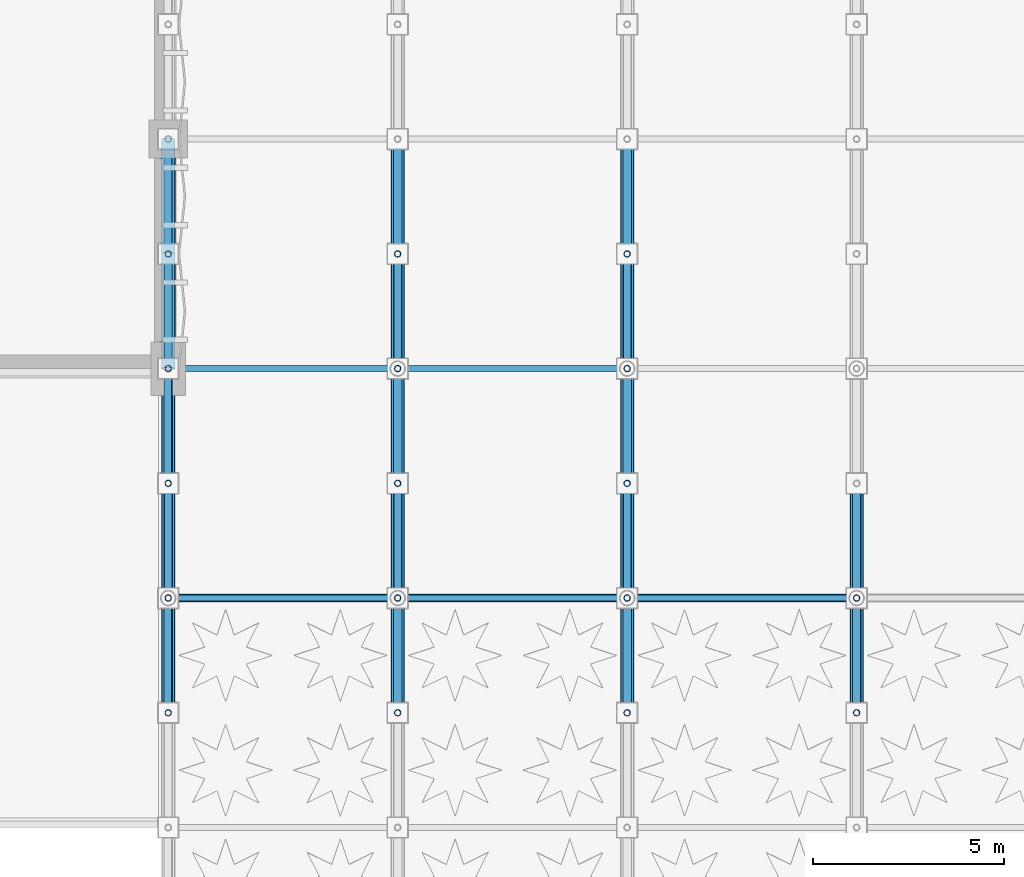
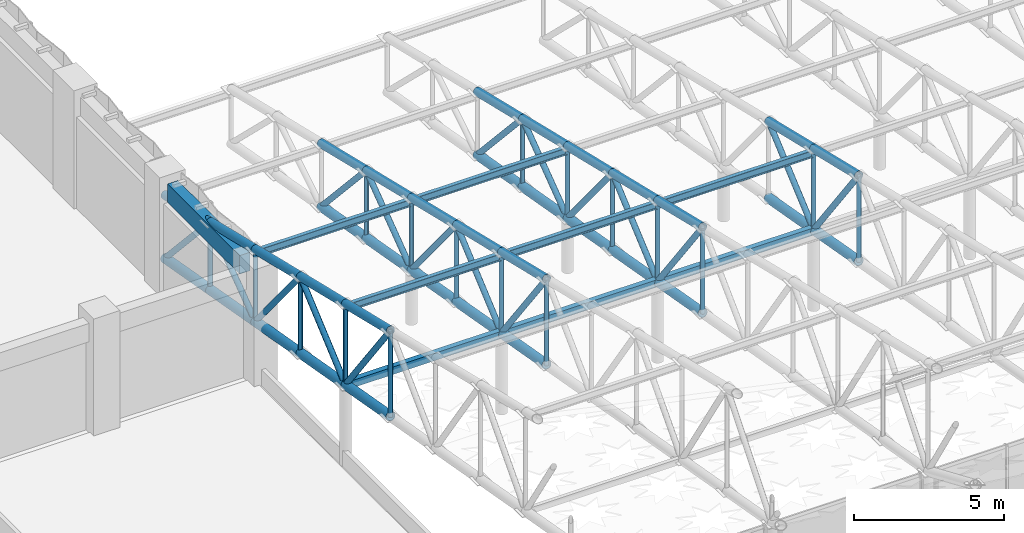
# One storey, part 27 of 123: 71 members, 6 beams.
"""IFC4 building model written with IfcOpenShell, lengths in metres."""

from ifc_helpers import new_model, si_unit, direction, frame, origin, origin_2d, place, context, subcontext, project, spatial, rectangle, hollow_rectangle, hollow_circle, i_section, extrude, material, material_profile, profile_set, type_object, element, save


model = new_model("IFC4")

# Units and contexts
model_context = context("Model", 3, precision=1e-05, world=origin(), true_north=direction((0.0, 1.0)))
body_context = subcontext(model_context, "Body", "Model", "MODEL_VIEW")
ifc_project = project(units=[si_unit("LENGTHUNIT", "METRE"), si_unit("AREAUNIT", "SQUARE_METRE"), si_unit("VOLUMEUNIT", "CUBIC_METRE"), si_unit("PLANEANGLEUNIT", "RADIAN"), si_unit("MASSUNIT", "GRAM", prefix="KILO"), si_unit("THERMODYNAMICTEMPERATUREUNIT", "KELVIN"), si_unit("POWERUNIT", "WATT")], contexts=[model_context])

# Site, building, storey
site_placement = place(None, origin())
site = spatial("IfcSite", under=ifc_project, at=site_placement, CompositionType="ELEMENT")
building_placement = place(site_placement, origin())
building = spatial("IfcBuilding", under=site, at=building_placement, Name="Phaisarnlok Congress Hotel", CompositionType="ELEMENT")
storey_placement = place(building_placement, frame((0.0, 0.0, 15.0)))
storey = spatial("IfcBuildingStorey", under=building, at=storey_placement, Name="L03", CompositionType="ELEMENT", Elevation=15.0)

# Beams
ifc_material_1 = material(Name="Steel S355", Category="steel")
ifc_material_profile_1 = material_profile(ifc_material_1, i_section(OverallWidth=0.14990234375, OverallDepth=0.300048828125, WebThickness=0.007080078125, FlangeThickness=0.0107421875, FilletRadius=0.014892578125, at=origin_2d()), Name="IPE 300")
ifc_profile_set_1 = profile_set([ifc_material_profile_1], Name="Steel S355")
beam_type_1 = type_object("IfcBeamType", Name="JS-STL-IPE300", PredefinedType="JOIST", material=ifc_profile_set_1)
for number, where, z_axis, x_axis, name in (
    (1, (66.0, 42.0, 4.902099609375), (1.0, 0.0, 0.0), (0.0, 1.0, 0.0), "South wing roof purlin"),
    (2, (66.0, 36.0, 6.334228515625), (1.0, 0.0, 0.0), (0.0, 1.0, 0.0), "South wing roof purlin"),
    (3, (72.0, 42.0, 4.902099609375), (1.0, 0.0, 0.0), (0.0, 1.0, 0.0), "South wing roof purlin"),
    (4, (72.0, 36.0, 6.334228515625), (1.0, 0.0, 0.0), (0.0, 1.0, 0.0), "South wing roof purlin"),
    (5, (78.0, 36.0, 6.334228515625), (1.0, 0.0, 0.0), (0.0, 1.0, 0.0), "South wing roof purlin"),
):
    element("IfcBeam", number, at=place(storey_placement, frame(where, z_axis=z_axis, x_axis=x_axis)), inside=storey, type_object=beam_type_1, Name=name, PredefinedType="JOIST", context=body_context, shape_type="SweptSolid", body=[
        extrude(i_section(OverallWidth=0.14990234375, OverallDepth=0.300048828125, WebThickness=0.007080078125, FlangeThickness=0.0107421875, FilletRadius=0.014892578125, at=origin_2d()), origin(), (0.0, 0.0, 1.0), 6.0),
    ])

# Members
ifc_material_profile_2 = material_profile(ifc_material_1, hollow_circle(Radius=0.084228515625, WallThickness=0.010009765625, at=origin_2d()), Name="CHS 168.3x10")
ifc_profile_set_2 = profile_set([ifc_material_profile_2], Name="Steel S355")
member_type_1 = type_object("IfcMemberType", Name="MEM-BRC-CHS168", PredefinedType="BRACE", material=ifc_profile_set_2)
member_1_placement = place(storey_placement, frame((66.0, 45.0, 1.60009765625), z_axis=(0.0, 0.0, 1.0), x_axis=(1.0, 0.0, 0.0)))
element("IfcMember", 6, at=member_1_placement, inside=storey, type_object=member_type_1, Name="South wing roof truss vertical web", PredefinedType="BRACE", context=body_context, shape_type="SweptSolid", body=[
    extrude(hollow_circle(Radius=0.084228515625, WallThickness=0.010009765625, at=origin_2d()), origin(), (0.0, 0.0, 1.0), 2.748046875),
])
member_2_placement = place(storey_placement, frame((66.0, 42.0, 2.13330078125), z_axis=(0.0, 0.0, 1.0), x_axis=(1.0, 0.0, 0.0)))
element("IfcMember", 7, at=member_2_placement, inside=storey, type_object=member_type_1, Name="South wing roof truss vertical web", PredefinedType="BRACE", context=body_context, shape_type="SweptSolid", body=[
    extrude(hollow_circle(Radius=0.084228515625, WallThickness=0.010009765625, at=origin_2d()), origin(), (0.0, 0.0, 1.0), 2.930908203125),
])
member_3_placement = place(storey_placement, frame((66.0, 39.0, 2.666748046875), z_axis=(0.0, 0.0, 1.0), x_axis=(1.0, 0.0, 0.0)))
element("IfcMember", 8, at=member_3_placement, inside=storey, type_object=member_type_1, Name="South wing roof truss vertical web", PredefinedType="BRACE", context=body_context, shape_type="SweptSolid", body=[
    extrude(hollow_circle(Radius=0.084228515625, WallThickness=0.010009765625, at=origin_2d()), origin(), (0.0, 0.0, 1.0), 3.113525390625),
])
member_4_placement = place(storey_placement, frame((66.0, 36.0, 3.199951171875), z_axis=(0.0, 0.0, 1.0), x_axis=(1.0, 0.0, 0.0)))
element("IfcMember", 9, at=member_4_placement, inside=storey, type_object=member_type_1, Name="South wing roof truss vertical web", PredefinedType="BRACE", context=body_context, shape_type="SweptSolid", body=[
    extrude(hollow_circle(Radius=0.084228515625, WallThickness=0.010009765625, at=origin_2d()), origin(), (0.0, 0.0, 1.0), 3.29638671875),
])
member_5_placement = place(storey_placement, frame((66.0, 33.0, 3.7333984375), z_axis=(0.0, 0.0, 1.0), x_axis=(1.0, 0.0, 0.0)))
element("IfcMember", 10, at=member_5_placement, inside=storey, type_object=member_type_1, Name="South wing roof truss vertical web", PredefinedType="BRACE", context=body_context, shape_type="SweptSolid", body=[
    extrude(hollow_circle(Radius=0.084228515625, WallThickness=0.010009765625, at=origin_2d()), origin(), (0.0, 0.0, 1.0), 3.47900390625),
])
member_6_placement = place(storey_placement, frame((72.0, 45.0, 1.60009765625), z_axis=(0.0, 0.0, 1.0), x_axis=(1.0, 0.0, 0.0)))
element("IfcMember", 11, at=member_6_placement, inside=storey, type_object=member_type_1, Name="South wing roof truss vertical web", PredefinedType="BRACE", context=body_context, shape_type="SweptSolid", body=[
    extrude(hollow_circle(Radius=0.084228515625, WallThickness=0.010009765625, at=origin_2d()), origin(), (0.0, 0.0, 1.0), 2.748046875),
])
member_7_placement = place(storey_placement, frame((72.0, 42.0, 2.13330078125), z_axis=(0.0, 0.0, 1.0), x_axis=(1.0, 0.0, 0.0)))
element("IfcMember", 12, at=member_7_placement, inside=storey, type_object=member_type_1, Name="South wing roof truss vertical web", PredefinedType="BRACE", context=body_context, shape_type="SweptSolid", body=[
    extrude(hollow_circle(Radius=0.084228515625, WallThickness=0.010009765625, at=origin_2d()), origin(), (0.0, 0.0, 1.0), 2.930908203125),
])
member_8_placement = place(storey_placement, frame((72.0, 39.0, 2.666748046875), z_axis=(0.0, 0.0, 1.0), x_axis=(1.0, 0.0, 0.0)))
element("IfcMember", 13, at=member_8_placement, inside=storey, type_object=member_type_1, Name="South wing roof truss vertical web", PredefinedType="BRACE", context=body_context, shape_type="SweptSolid", body=[
    extrude(hollow_circle(Radius=0.084228515625, WallThickness=0.010009765625, at=origin_2d()), origin(), (0.0, 0.0, 1.0), 3.113525390625),
])
member_9_placement = place(storey_placement, frame((72.0, 36.0, 3.199951171875), z_axis=(0.0, 0.0, 1.0), x_axis=(1.0, 0.0, 0.0)))
element("IfcMember", 14, at=member_9_placement, inside=storey, type_object=member_type_1, Name="South wing roof truss vertical web", PredefinedType="BRACE", context=body_context, shape_type="SweptSolid", body=[
    extrude(hollow_circle(Radius=0.084228515625, WallThickness=0.010009765625, at=origin_2d()), origin(), (0.0, 0.0, 1.0), 3.29638671875),
])
member_10_placement = place(storey_placement, frame((72.0, 33.0, 3.7333984375), z_axis=(0.0, 0.0, 1.0), x_axis=(1.0, 0.0, 0.0)))
element("IfcMember", 15, at=member_10_placement, inside=storey, type_object=member_type_1, Name="South wing roof truss vertical web", PredefinedType="BRACE", context=body_context, shape_type="SweptSolid", body=[
    extrude(hollow_circle(Radius=0.084228515625, WallThickness=0.010009765625, at=origin_2d()), origin(), (0.0, 0.0, 1.0), 3.47900390625),
])
member_11_placement = place(storey_placement, frame((78.0, 45.0, 1.60009765625), z_axis=(0.0, 0.0, 1.0), x_axis=(1.0, 0.0, 0.0)))
element("IfcMember", 16, at=member_11_placement, inside=storey, type_object=member_type_1, Name="South wing roof truss vertical web", PredefinedType="BRACE", context=body_context, shape_type="SweptSolid", body=[
    extrude(hollow_circle(Radius=0.084228515625, WallThickness=0.010009765625, at=origin_2d()), origin(), (0.0, 0.0, 1.0), 2.748046875),
])
member_12_placement = place(storey_placement, frame((78.0, 42.0, 2.13330078125), z_axis=(0.0, 0.0, 1.0), x_axis=(1.0, 0.0, 0.0)))
element("IfcMember", 17, at=member_12_placement, inside=storey, type_object=member_type_1, Name="South wing roof truss vertical web", PredefinedType="BRACE", context=body_context, shape_type="SweptSolid", body=[
    extrude(hollow_circle(Radius=0.084228515625, WallThickness=0.010009765625, at=origin_2d()), origin(), (0.0, 0.0, 1.0), 2.930908203125),
])
member_13_placement = place(storey_placement, frame((78.0, 39.0, 2.666748046875), z_axis=(0.0, 0.0, 1.0), x_axis=(1.0, 0.0, 0.0)))
element("IfcMember", 18, at=member_13_placement, inside=storey, type_object=member_type_1, Name="South wing roof truss vertical web", PredefinedType="BRACE", context=body_context, shape_type="SweptSolid", body=[
    extrude(hollow_circle(Radius=0.084228515625, WallThickness=0.010009765625, at=origin_2d()), origin(), (0.0, 0.0, 1.0), 3.113525390625),
])
member_14_placement = place(storey_placement, frame((78.0, 36.0, 3.199951171875), z_axis=(0.0, 0.0, 1.0), x_axis=(1.0, 0.0, 0.0)))
element("IfcMember", 19, at=member_14_placement, inside=storey, type_object=member_type_1, Name="South wing roof truss vertical web", PredefinedType="BRACE", context=body_context, shape_type="SweptSolid", body=[
    extrude(hollow_circle(Radius=0.084228515625, WallThickness=0.010009765625, at=origin_2d()), origin(), (0.0, 0.0, 1.0), 3.29638671875),
])
member_15_placement = place(storey_placement, frame((78.0, 33.0, 3.7333984375), z_axis=(0.0, 0.0, 1.0), x_axis=(1.0, 0.0, 0.0)))
element("IfcMember", 20, at=member_15_placement, inside=storey, type_object=member_type_1, Name="South wing roof truss vertical web", PredefinedType="BRACE", context=body_context, shape_type="SweptSolid", body=[
    extrude(hollow_circle(Radius=0.084228515625, WallThickness=0.010009765625, at=origin_2d()), origin(), (0.0, 0.0, 1.0), 3.47900390625),
])
member_16_placement = place(storey_placement, frame((84.0, 36.0, 3.199951171875), z_axis=(0.0, 0.0, 1.0), x_axis=(1.0, 0.0, 0.0)))
element("IfcMember", 21, at=member_16_placement, inside=storey, type_object=member_type_1, Name="South wing roof truss vertical web", PredefinedType="BRACE", context=body_context, shape_type="SweptSolid", body=[
    extrude(hollow_circle(Radius=0.084228515625, WallThickness=0.010009765625, at=origin_2d()), origin(), (0.0, 0.0, 1.0), 3.29638671875),
])
member_17_placement = place(storey_placement, frame((84.0, 33.0, 3.7333984375), z_axis=(0.0, 0.0, 1.0), x_axis=(1.0, 0.0, 0.0)))
element("IfcMember", 22, at=member_17_placement, inside=storey, type_object=member_type_1, Name="South wing roof truss vertical web", PredefinedType="BRACE", context=body_context, shape_type="SweptSolid", body=[
    extrude(hollow_circle(Radius=0.084228515625, WallThickness=0.010009765625, at=origin_2d()), origin(), (0.0, 0.0, 1.0), 3.47900390625),
])
ifc_material_profile_3 = material_profile(ifc_material_1, hollow_circle(Radius=0.109619140625, WallThickness=0.012451171875, at=origin_2d()), Name="CHS 219.1x12.5")
ifc_profile_set_3 = profile_set([ifc_material_profile_3], Name="Steel S355")
member_type_2 = type_object("IfcMemberType", Name="MEM-BRC-CHS219", PredefinedType="BRACE", material=ifc_profile_set_3)
member_18_placement = place(storey_placement, frame((66.0, 48.0, 1.066650390625), z_axis=(0.0, -0.674741853636, 0.738053813046), x_axis=(1.0, 0.0, 0.0)))
element("IfcMember", 23, at=member_18_placement, inside=storey, type_object=member_type_2, Name="South wing roof truss diagonal brace", PredefinedType="BRACE", context=body_context, shape_type="SweptSolid", body=[
    extrude(hollow_circle(Radius=0.109619140625, WallThickness=0.012451171875, at=origin_2d()), origin(), (0.0, 0.0, 1.0), 4.446044921875),
])
member_19_placement = place(storey_placement, frame((66.0, 42.0, 2.13330078125), z_axis=(0.0, 0.804502572665, 0.593949164975), x_axis=(-1.0, 0.0, 0.0)))
element("IfcMember", 24, at=member_19_placement, inside=storey, type_object=member_type_2, Name="South wing roof truss diagonal brace", PredefinedType="BRACE", context=body_context, shape_type="SweptSolid", body=[
    extrude(hollow_circle(Radius=0.109619140625, WallThickness=0.012451171875, at=origin_2d()), origin(), (0.0, 0.0, 1.0), 3.72900390625),
])
member_20_placement = place(storey_placement, frame((66.0, 42.0, 2.13330078125), z_axis=(0.0, -0.635279491177, 0.772282311133), x_axis=(1.0, 0.0, 0.0)))
element("IfcMember", 25, at=member_20_placement, inside=storey, type_object=member_type_2, Name="South wing roof truss diagonal brace", PredefinedType="BRACE", context=body_context, shape_type="SweptSolid", body=[
    extrude(hollow_circle(Radius=0.109619140625, WallThickness=0.012451171875, at=origin_2d()), origin(), (0.0, 0.0, 1.0), 4.722412109375),
])
member_21_placement = place(storey_placement, frame((66.0, 36.0, 3.199951171875), z_axis=(0.0, 0.758144932989, 0.652086083721), x_axis=(-1.0, 0.0, 0.0)))
element("IfcMember", 26, at=member_21_placement, inside=storey, type_object=member_type_2, Name="South wing roof truss diagonal brace", PredefinedType="BRACE", context=body_context, shape_type="SweptSolid", body=[
    extrude(hollow_circle(Radius=0.109619140625, WallThickness=0.012451171875, at=origin_2d()), origin(), (0.0, 0.0, 1.0), 3.95703125),
])
member_22_placement = place(storey_placement, frame((66.0, 36.0, 3.199951171875), z_axis=(0.0, -0.598806398303, 0.800893811533), x_axis=(1.0, 0.0, 0.0)))
element("IfcMember", 27, at=member_22_placement, inside=storey, type_object=member_type_2, Name="South wing roof truss diagonal brace", PredefinedType="BRACE", context=body_context, shape_type="SweptSolid", body=[
    extrude(hollow_circle(Radius=0.109619140625, WallThickness=0.012451171875, at=origin_2d()), origin(), (0.0, 0.0, 1.0), 5.010009765625),
])
member_23_placement = place(storey_placement, frame((72.0, 48.0, 1.066650390625), z_axis=(0.0, -0.674741853636, 0.738053813046), x_axis=(1.0, 0.0, 0.0)))
element("IfcMember", 28, at=member_23_placement, inside=storey, type_object=member_type_2, Name="South wing roof truss diagonal brace", PredefinedType="BRACE", context=body_context, shape_type="SweptSolid", body=[
    extrude(hollow_circle(Radius=0.109619140625, WallThickness=0.012451171875, at=origin_2d()), origin(), (0.0, 0.0, 1.0), 4.446044921875),
])
member_24_placement = place(storey_placement, frame((72.0, 42.0, 2.13330078125), z_axis=(0.0, 0.804502572665, 0.593949164975), x_axis=(-1.0, 0.0, 0.0)))
element("IfcMember", 29, at=member_24_placement, inside=storey, type_object=member_type_2, Name="South wing roof truss diagonal brace", PredefinedType="BRACE", context=body_context, shape_type="SweptSolid", body=[
    extrude(hollow_circle(Radius=0.109619140625, WallThickness=0.012451171875, at=origin_2d()), origin(), (0.0, 0.0, 1.0), 3.72900390625),
])
member_25_placement = place(storey_placement, frame((72.0, 42.0, 2.13330078125), z_axis=(0.0, -0.635279491177, 0.772282311133), x_axis=(1.0, 0.0, 0.0)))
element("IfcMember", 30, at=member_25_placement, inside=storey, type_object=member_type_2, Name="South wing roof truss diagonal brace", PredefinedType="BRACE", context=body_context, shape_type="SweptSolid", body=[
    extrude(hollow_circle(Radius=0.109619140625, WallThickness=0.012451171875, at=origin_2d()), origin(), (0.0, 0.0, 1.0), 4.722412109375),
])
member_26_placement = place(storey_placement, frame((72.0, 36.0, 3.199951171875), z_axis=(0.0, 0.758144932989, 0.652086083721), x_axis=(-1.0, 0.0, 0.0)))
element("IfcMember", 31, at=member_26_placement, inside=storey, type_object=member_type_2, Name="South wing roof truss diagonal brace", PredefinedType="BRACE", context=body_context, shape_type="SweptSolid", body=[
    extrude(hollow_circle(Radius=0.109619140625, WallThickness=0.012451171875, at=origin_2d()), origin(), (0.0, 0.0, 1.0), 3.95703125),
])
member_27_placement = place(storey_placement, frame((72.0, 36.0, 3.199951171875), z_axis=(0.0, -0.598806398303, 0.800893811533), x_axis=(1.0, 0.0, 0.0)))
element("IfcMember", 32, at=member_27_placement, inside=storey, type_object=member_type_2, Name="South wing roof truss diagonal brace", PredefinedType="BRACE", context=body_context, shape_type="SweptSolid", body=[
    extrude(hollow_circle(Radius=0.109619140625, WallThickness=0.012451171875, at=origin_2d()), origin(), (0.0, 0.0, 1.0), 5.010009765625),
])
member_28_placement = place(storey_placement, frame((78.0, 48.0, 1.066650390625), z_axis=(0.0, -0.674741853636, 0.738053813046), x_axis=(1.0, 0.0, 0.0)))
element("IfcMember", 33, at=member_28_placement, inside=storey, type_object=member_type_2, Name="South wing roof truss diagonal brace", PredefinedType="BRACE", context=body_context, shape_type="SweptSolid", body=[
    extrude(hollow_circle(Radius=0.109619140625, WallThickness=0.012451171875, at=origin_2d()), origin(), (0.0, 0.0, 1.0), 4.446044921875),
])
member_29_placement = place(storey_placement, frame((78.0, 42.0, 2.13330078125), z_axis=(0.0, 0.804502572665, 0.593949164975), x_axis=(-1.0, 0.0, 0.0)))
element("IfcMember", 34, at=member_29_placement, inside=storey, type_object=member_type_2, Name="South wing roof truss diagonal brace", PredefinedType="BRACE", context=body_context, shape_type="SweptSolid", body=[
    extrude(hollow_circle(Radius=0.109619140625, WallThickness=0.012451171875, at=origin_2d()), origin(), (0.0, 0.0, 1.0), 3.72900390625),
])
member_30_placement = place(storey_placement, frame((78.0, 42.0, 2.13330078125), z_axis=(0.0, -0.635279491177, 0.772282311133), x_axis=(1.0, 0.0, 0.0)))
element("IfcMember", 35, at=member_30_placement, inside=storey, type_object=member_type_2, Name="South wing roof truss diagonal brace", PredefinedType="BRACE", context=body_context, shape_type="SweptSolid", body=[
    extrude(hollow_circle(Radius=0.109619140625, WallThickness=0.012451171875, at=origin_2d()), origin(), (0.0, 0.0, 1.0), 4.722412109375),
])
member_31_placement = place(storey_placement, frame((78.0, 36.0, 3.199951171875), z_axis=(0.0, 0.758144932989, 0.652086083721), x_axis=(-1.0, 0.0, 0.0)))
element("IfcMember", 36, at=member_31_placement, inside=storey, type_object=member_type_2, Name="South wing roof truss diagonal brace", PredefinedType="BRACE", context=body_context, shape_type="SweptSolid", body=[
    extrude(hollow_circle(Radius=0.109619140625, WallThickness=0.012451171875, at=origin_2d()), origin(), (0.0, 0.0, 1.0), 3.95703125),
])
member_32_placement = place(storey_placement, frame((78.0, 36.0, 3.199951171875), z_axis=(0.0, -0.598806398303, 0.800893811533), x_axis=(1.0, 0.0, 0.0)))
element("IfcMember", 37, at=member_32_placement, inside=storey, type_object=member_type_2, Name="South wing roof truss diagonal brace", PredefinedType="BRACE", context=body_context, shape_type="SweptSolid", body=[
    extrude(hollow_circle(Radius=0.109619140625, WallThickness=0.012451171875, at=origin_2d()), origin(), (0.0, 0.0, 1.0), 5.010009765625),
])
member_33_placement = place(storey_placement, frame((84.0, 36.0, 3.199951171875), z_axis=(0.0, 0.758144932989, 0.652086083721), x_axis=(-1.0, 0.0, 0.0)))
element("IfcMember", 38, at=member_33_placement, inside=storey, type_object=member_type_2, Name="South wing roof truss diagonal brace", PredefinedType="BRACE", context=body_context, shape_type="SweptSolid", body=[
    extrude(hollow_circle(Radius=0.109619140625, WallThickness=0.012451171875, at=origin_2d()), origin(), (0.0, 0.0, 1.0), 3.95703125),
])
member_34_placement = place(storey_placement, frame((84.0, 36.0, 3.199951171875), z_axis=(0.0, -0.598806398303, 0.800893811533), x_axis=(1.0, 0.0, 0.0)))
element("IfcMember", 39, at=member_34_placement, inside=storey, type_object=member_type_2, Name="South wing roof truss diagonal brace", PredefinedType="BRACE", context=body_context, shape_type="SweptSolid", body=[
    extrude(hollow_circle(Radius=0.109619140625, WallThickness=0.012451171875, at=origin_2d()), origin(), (0.0, 0.0, 1.0), 5.010009765625),
])
ifc_material_profile_4 = material_profile(ifc_material_1, hollow_circle(Radius=0.161865234375, WallThickness=0.01611328125, at=origin_2d()), Name="CHS 323.9x16")
ifc_profile_set_4 = profile_set([ifc_material_profile_4], Name="Steel S355")
member_type_3 = type_object("IfcMemberType", Name="MEM-CHD-CHS324", PredefinedType="CHORD", material=ifc_profile_set_4)
for number, where, z_axis, x_axis, name in (
    (40, (66.0, 48.0, 3.632080078125), (0.0, -0.972676115692, 0.232166263617), (1.0, 0.0, 0.0), "South wing roof truss top chord"),
    (41, (66.0, 45.0, 4.34814453125), (0.0, -0.972676115692, 0.232166263617), (1.0, 0.0, 0.0), "South wing roof truss top chord"),
    (42, (66.0, 42.0, 5.064208984375), (0.0, -0.972676115692, 0.232166263617), (1.0, 0.0, 0.0), "South wing roof truss top chord"),
    (43, (66.0, 39.0, 5.7802734375), (0.0, -0.972676115692, 0.232166263617), (1.0, 0.0, 0.0), "South wing roof truss top chord"),
    (44, (66.0, 36.0, 6.496337890625), (0.0, -0.972676115692, 0.232166263617), (1.0, 0.0, 0.0), "South wing roof truss top chord"),
    (45, (72.0, 48.0, 3.632080078125), (0.0, -0.972676115692, 0.232166263617), (1.0, 0.0, 0.0), "South wing roof truss top chord"),
    (46, (72.0, 45.0, 4.34814453125), (0.0, -0.972676115692, 0.232166263617), (1.0, 0.0, 0.0), "South wing roof truss top chord"),
    (47, (72.0, 42.0, 5.064208984375), (0.0, -0.972676115692, 0.232166263617), (1.0, 0.0, 0.0), "South wing roof truss top chord"),
    (48, (72.0, 39.0, 5.7802734375), (0.0, -0.972676115692, 0.232166263617), (1.0, 0.0, 0.0), "South wing roof truss top chord"),
    (49, (72.0, 36.0, 6.496337890625), (0.0, -0.972676115692, 0.232166263617), (1.0, 0.0, 0.0), "South wing roof truss top chord"),
    (50, (78.0, 48.0, 3.632080078125), (0.0, -0.972676115692, 0.232166263617), (1.0, 0.0, 0.0), "South wing roof truss top chord"),
    (51, (78.0, 45.0, 4.34814453125), (0.0, -0.972676115692, 0.232166263617), (1.0, 0.0, 0.0), "South wing roof truss top chord"),
    (52, (78.0, 42.0, 5.064208984375), (0.0, -0.972676115692, 0.232166263617), (1.0, 0.0, 0.0), "South wing roof truss top chord"),
    (53, (78.0, 39.0, 5.7802734375), (0.0, -0.972676115692, 0.232166263617), (1.0, 0.0, 0.0), "South wing roof truss top chord"),
    (54, (78.0, 36.0, 6.496337890625), (0.0, -0.972676115692, 0.232166263617), (1.0, 0.0, 0.0), "South wing roof truss top chord"),
    (55, (84.0, 39.0, 5.7802734375), (0.0, -0.972676115692, 0.232166263617), (1.0, 0.0, 0.0), "South wing roof truss top chord"),
    (56, (84.0, 36.0, 6.496337890625), (0.0, -0.972676115692, 0.232166263617), (1.0, 0.0, 0.0), "South wing roof truss top chord"),
):
    element("IfcMember", number, at=place(storey_placement, frame(where, z_axis=z_axis, x_axis=x_axis)), inside=storey, type_object=member_type_3, Name=name, PredefinedType="CHORD", context=body_context, shape_type="SweptSolid", body=[
        extrude(hollow_circle(Radius=0.161865234375, WallThickness=0.01611328125, at=origin_2d()), origin(), (0.0, 0.0, 1.0), 3.084228515625),
    ])
ifc_material_profile_5 = material_profile(ifc_material_1, hollow_circle(Radius=0.177734375, WallThickness=0.02001953125, at=origin_2d()), Name="CHS 355.6x20")
ifc_profile_set_5 = profile_set([ifc_material_profile_5], Name="Steel S355")
member_type_4 = type_object("IfcMemberType", Name="MEM-CHD-CHS356", PredefinedType="CHORD", material=ifc_profile_set_5)
for number, where, z_axis, x_axis, name in (
    (57, (66.0, 48.0, 1.066650390625), (0.0, -0.984556063496, 0.175069579976), (1.0, 0.0, 0.0), "South wing roof truss bottom chord"),
    (58, (66.0, 45.0, 1.60009765625), (0.0, -0.984569871158, 0.174991910694), (1.0, 0.0, 0.0), "South wing roof truss bottom chord"),
    (59, (66.0, 42.0, 2.13330078125), (0.0, -0.984556063496, 0.175069579976), (1.0, 0.0, 0.0), "South wing roof truss bottom chord"),
    (60, (66.0, 39.0, 2.666748046875), (0.0, -0.984569871158, 0.174991910694), (1.0, 0.0, 0.0), "South wing roof truss bottom chord"),
    (61, (66.0, 36.0, 3.199951171875), (0.0, -0.984556063496, 0.175069579976), (1.0, 0.0, 0.0), "South wing roof truss bottom chord"),
    (62, (72.0, 48.0, 1.066650390625), (0.0, -0.984556063496, 0.175069579976), (1.0, 0.0, 0.0), "South wing roof truss bottom chord"),
    (63, (72.0, 45.0, 1.60009765625), (0.0, -0.984569871158, 0.174991910694), (1.0, 0.0, 0.0), "South wing roof truss bottom chord"),
    (64, (72.0, 42.0, 2.13330078125), (0.0, -0.984556063496, 0.175069579976), (1.0, 0.0, 0.0), "South wing roof truss bottom chord"),
    (65, (72.0, 39.0, 2.666748046875), (0.0, -0.984569871158, 0.174991910694), (1.0, 0.0, 0.0), "South wing roof truss bottom chord"),
    (66, (72.0, 36.0, 3.199951171875), (0.0, -0.984556063496, 0.175069579976), (1.0, 0.0, 0.0), "South wing roof truss bottom chord"),
    (67, (78.0, 48.0, 1.066650390625), (0.0, -0.984556063496, 0.175069579976), (1.0, 0.0, 0.0), "South wing roof truss bottom chord"),
    (68, (78.0, 45.0, 1.60009765625), (0.0, -0.984569871158, 0.174991910694), (1.0, 0.0, 0.0), "South wing roof truss bottom chord"),
    (69, (78.0, 42.0, 2.13330078125), (0.0, -0.984556063496, 0.175069579976), (1.0, 0.0, 0.0), "South wing roof truss bottom chord"),
    (70, (78.0, 39.0, 2.666748046875), (0.0, -0.984569871158, 0.174991910694), (1.0, 0.0, 0.0), "South wing roof truss bottom chord"),
    (71, (78.0, 36.0, 3.199951171875), (0.0, -0.984556063496, 0.175069579976), (1.0, 0.0, 0.0), "South wing roof truss bottom chord"),
    (72, (84.0, 39.0, 2.666748046875), (0.0, -0.984569871158, 0.174991910694), (1.0, 0.0, 0.0), "South wing roof truss bottom chord"),
    (73, (84.0, 36.0, 3.199951171875), (0.0, -0.984556063496, 0.175069579976), (1.0, 0.0, 0.0), "South wing roof truss bottom chord"),
):
    element("IfcMember", number, at=place(storey_placement, frame(where, z_axis=z_axis, x_axis=x_axis)), inside=storey, type_object=member_type_4, Name=name, PredefinedType="CHORD", context=body_context, shape_type="SweptSolid", body=[
        extrude(hollow_circle(Radius=0.177734375, WallThickness=0.02001953125, at=origin_2d()), origin(), (0.0, 0.0, 1.0), 3.047119140625),
    ])
ifc_material_profile_6 = material_profile(ifc_material_1, hollow_rectangle(XDim=0.199951171875, YDim=0.300048828125, WallThickness=0.012451171875, at=origin_2d()), Name="RHS 300x200x12.5")
ifc_profile_set_6 = profile_set([ifc_material_profile_6], Name="Steel S355")
member_type_5 = type_object("IfcMemberType", Name="MEM-STR-RHS300", PredefinedType="STRUT", material=ifc_profile_set_6)
for number, where, z_axis, x_axis, name in (
    (74, (66.0, 36.0, 3.199951171875), (1.0, 0.0, 0.0), (0.0, 1.0, 0.0), "Wing truss bottom-chord lateral strut ST-M2"),
    (75, (72.0, 36.0, 3.199951171875), (1.0, 0.0, 0.0), (0.0, 1.0, 0.0), "Wing truss bottom-chord lateral strut ST-M2"),
    (76, (78.0, 36.0, 3.199951171875), (1.0, 0.0, 0.0), (0.0, 1.0, 0.0), "Wing truss bottom-chord lateral strut ST-M2"),
):
    element("IfcMember", number, at=place(storey_placement, frame(where, z_axis=z_axis, x_axis=x_axis)), inside=storey, type_object=member_type_5, Name=name, PredefinedType="STRUT", context=body_context, shape_type="SweptSolid", body=[
        extrude(hollow_rectangle(XDim=0.199951171875, YDim=0.300048828125, WallThickness=0.012451171875, at=origin_2d()), origin(), (0.0, 0.0, 1.0), 6.0),
    ])

# Beam
ifc_material_2 = material(Name="Concrete C40/50", Category="concrete")
ifc_material_profile_7 = material_profile(ifc_material_2, rectangle(XDim=0.39990234375, YDim=0.75, at=origin_2d()), Name="RC 400x750")
ifc_profile_set_7 = profile_set([ifc_material_profile_7], Name="Concrete C40/50")
beam_type_2 = type_object("IfcBeamType", Name="SP-RC-400x750", PredefinedType="SPANDREL", material=ifc_profile_set_7)
beam_placement = place(storey_placement, frame((66.0, 42.695068359375, 4.074951171875), z_axis=(0.0, 1.0, 0.0), x_axis=(-1.0, 0.0, 0.0)))
element("IfcBeam", 77, at=beam_placement, inside=storey, type_object=beam_type_2, Name="Beam SP-02", PredefinedType="SPANDREL", context=body_context, shape_type="SweptSolid", body=[
    extrude(rectangle(XDim=0.39990234375, YDim=0.75, at=origin_2d()), origin(), (0.0, 0.0, 1.0), 4.809814453125),
])

save(model, "model.ifc")
